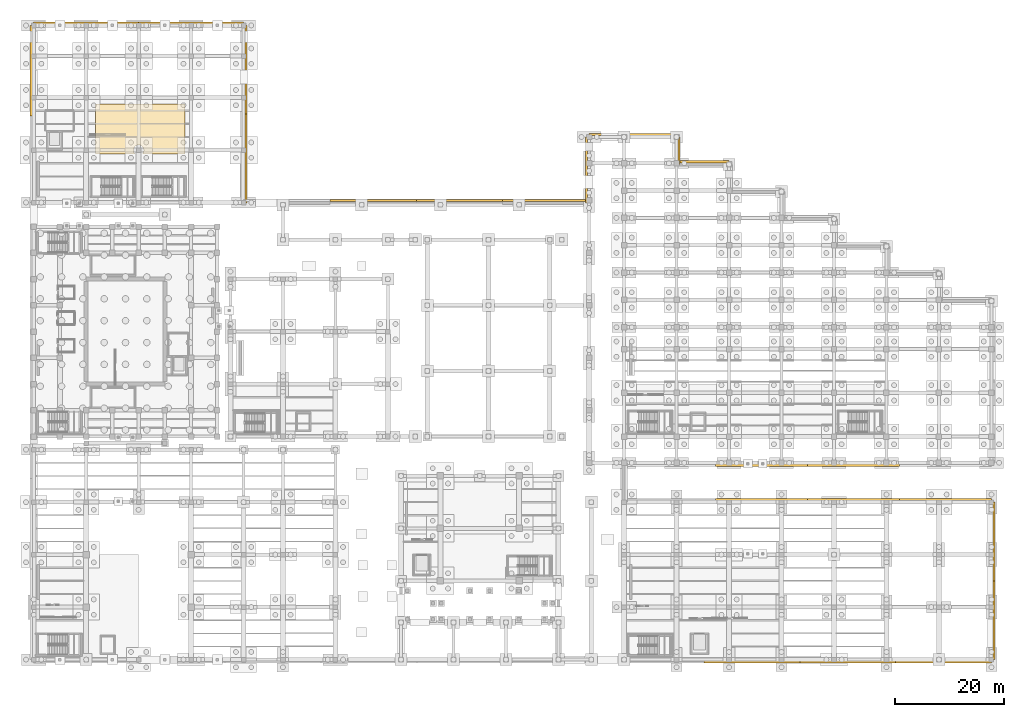
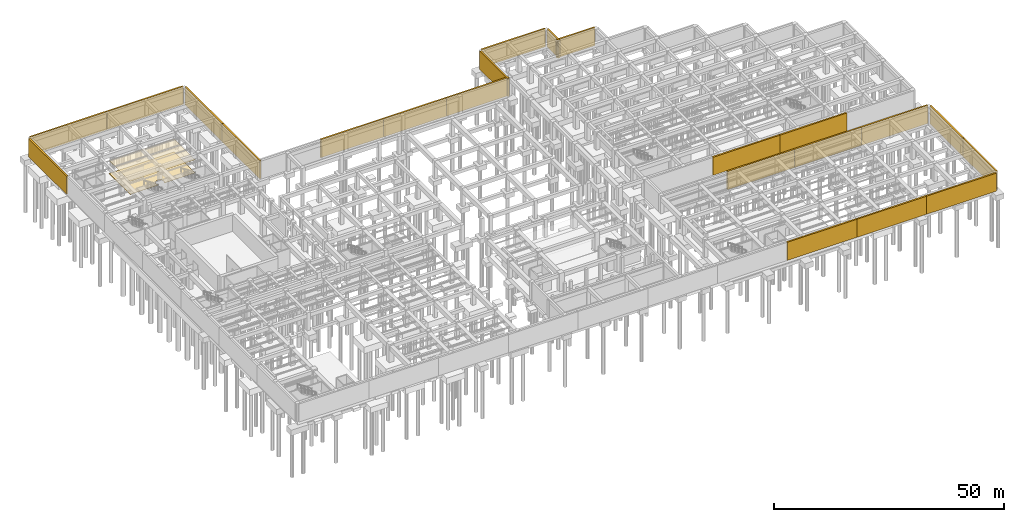
# One storey, part 53 of 56: 24 coverings.
"""IFC4 building model written with IfcOpenShell, lengths in metres."""

from ifc_helpers import new_model, si_unit, direction, frame, origin, place, context, subcontext, project, spatial, polyline, outline, extrude, material, layer, layer_set, type_object, element, save


model = new_model("IFC4")

# Units and contexts
model_context = context("Model", 3, precision=1e-05, world=origin(), true_north=direction((0.0, 1.0)))
body_context = subcontext(model_context, "Body", "Model", "MODEL_VIEW")
ifc_project = project(units=[si_unit("LENGTHUNIT", "METRE"), si_unit("AREAUNIT", "SQUARE_METRE"), si_unit("VOLUMEUNIT", "CUBIC_METRE"), si_unit("PLANEANGLEUNIT", "RADIAN"), si_unit("MASSUNIT", "GRAM", prefix="KILO")], contexts=[model_context])

# Site, building, storey
site_placement = place(None, origin())
site = spatial("IfcSite", under=ifc_project, at=site_placement, CompositionType="ELEMENT")
building_placement = place(site_placement, origin())
building = spatial("IfcBuilding", under=site, at=building_placement, Name="Mavantir Sound Aquarium", CompositionType="ELEMENT")
storey_placement = place(building_placement, frame((0.0, 0.0, -9.60009765625)))
storey = spatial("IfcBuildingStorey", under=building, at=storey_placement, Name="B2", CompositionType="ELEMENT", Elevation=-9.60009765625)

# Coverings
ifc_material_1 = material(Name="Moisture-Resistant Acoustic Mineral Fibre Tile")
ifc_layer_1 = layer(ifc_material_1, 0.02490234375, Name="Moisture-Resistant Acoustic Mineral Fibre Tile")
ifc_layer_set_1 = layer_set([ifc_layer_1], Name="Moisture-Resistant Acoustic Mineral Fibre Tile")
covering_type_1 = type_object("IfcCoveringType", Name="COV-CEIL-AC", PredefinedType="CEILING", material=ifc_layer_set_1)
covering_1_placement = place(storey_placement, frame((0.0, 0.0, 3.47119140625)))
element("IfcCovering", 1, at=covering_1_placement, inside=storey, type_object=covering_type_1, Name="B2 Marine Research Specimen Cold Archive Vault suspended acoustic ceiling", PredefinedType="CEILING", context=body_context, shape_type="SweptSolid", body=[
    extrude(outline(polyline([(27.659912109375, 101.659912109375), (27.659912109375, 92.5), (19.840576171875, 92.5), (19.871826171875, 92.5283203125), (19.934326171875, 92.597412109375), (19.989990234375, 92.672119140625), (20.037841796875, 92.752197265625), (20.07763671875, 92.83642578125), (20.109130859375, 92.92431640625), (20.131591796875, 93.0146484375), (20.1455078125, 93.10693359375), (20.14990234375, 93.199951171875), (20.1455078125, 93.293212890625), (20.131591796875, 93.38525390625), (20.109130859375, 93.475830078125), (20.07763671875, 93.5634765625), (20.037841796875, 93.647705078125), (19.989990234375, 93.727783203125), (19.934326171875, 93.802734375), (19.871826171875, 93.871826171875), (19.802734375, 93.934326171875), (19.727783203125, 93.989990234375), (19.647705078125, 94.037841796875), (19.5634765625, 94.07763671875), (19.475830078125, 94.109130859375), (19.38525390625, 94.131591796875), (19.293212890625, 94.1455078125), (19.199951171875, 94.14990234375), (19.10693359375, 94.1455078125), (19.0146484375, 94.131591796875), (18.92431640625, 94.109130859375), (18.83642578125, 94.07763671875), (18.752197265625, 94.037841796875), (18.672119140625, 93.989990234375), (18.597412109375, 93.934326171875), (18.5283203125, 93.871826171875), (18.465576171875, 93.802734375), (18.41015625, 93.727783203125), (18.3623046875, 93.647705078125), (18.322265625, 93.5634765625), (18.291015625, 93.475830078125), (18.268310546875, 93.38525390625), (18.254638671875, 93.293212890625), (18.25, 93.199951171875), (18.254638671875, 93.10693359375), (18.268310546875, 93.0146484375), (18.291015625, 92.92431640625), (18.322265625, 92.83642578125), (18.3623046875, 92.752197265625), (18.41015625, 92.672119140625), (18.465576171875, 92.597412109375), (18.5283203125, 92.5283203125), (18.559326171875, 92.5), (11.300048828125, 92.5), (11.300048828125, 101.659912109375), (27.659912109375, 101.659912109375)])), origin(), (0.0, 0.0, 1.0), 0.02490234375),
])
ifc_material_2 = material(Name="Honed Coral-Limestone & Glazed Terracotta Rainscreen Cladding", Category="masonry")
ifc_layer_2 = layer(ifc_material_2, 0.06005859375, Name="Honed Coral-Limestone & Glazed Terracotta Rainscreen Cladding")
ifc_layer_set_2 = layer_set([ifc_layer_2], Name="Honed Coral-Limestone & Glazed Terracotta Rainscreen Cladding")
covering_type_2 = type_object("IfcCoveringType", Name="COV-CLAD-TC", PredefinedType="CLADDING", material=ifc_layer_set_2)
covering_2_placement = place(storey_placement, origin())
element("IfcCovering", 2, at=covering_2_placement, inside=storey, type_object=covering_type_2, Name="B2 rusticated coral-stone plinth cladding 1", PredefinedType="CLADDING", context=body_context, shape_type="SweptSolid", body=[
    extrude(outline(polyline([(175.449951171875, 0.0), (175.449951171875, 14.39990234375), (175.860107421875, 14.39990234375), (175.860107421875, 0.0), (175.449951171875, 0.0)])), origin(), (0.0, 0.0, 1.0), 4.800048828125),
])
covering_3_placement = place(storey_placement, origin())
element("IfcCovering", 3, at=covering_3_placement, inside=storey, type_object=covering_type_2, Name="B2 rusticated coral-stone plinth cladding 2", PredefinedType="CLADDING", context=body_context, shape_type="SweptSolid", body=[
    extrude(outline(polyline([(175.449951171875, 14.39990234375), (175.449951171875, 28.800048828125), (175.860107421875, 28.800048828125), (175.860107421875, 14.39990234375), (175.449951171875, 14.39990234375)])), origin(), (0.0, 0.0, 1.0), 4.800048828125),
])
covering_4_placement = place(storey_placement, origin())
element("IfcCovering", 4, at=covering_4_placement, inside=storey, type_object=covering_type_2, Name="B2 rusticated coral-stone plinth cladding 3", PredefinedType="CLADDING", context=body_context, shape_type="SweptSolid", body=[
    extrude(outline(polyline([(175.199951171875, 29.050048828125), (158.387451171875, 29.050048828125), (158.387451171875, 29.4599609375), (175.199951171875, 29.4599609375), (175.199951171875, 29.050048828125)])), origin(), (0.0, 0.0, 1.0), 4.800048828125),
])
covering_5_placement = place(storey_placement, origin())
element("IfcCovering", 5, at=covering_5_placement, inside=storey, type_object=covering_type_2, Name="B2 rusticated coral-stone plinth cladding 4", PredefinedType="CLADDING", context=body_context, shape_type="SweptSolid", body=[
    extrude(outline(polyline([(158.387451171875, 29.050048828125), (141.574951171875, 29.050048828125), (141.574951171875, 29.4599609375), (158.387451171875, 29.4599609375), (158.387451171875, 29.050048828125)])), origin(), (0.0, 0.0, 1.0), 4.800048828125),
])
covering_6_placement = place(storey_placement, origin())
element("IfcCovering", 6, at=covering_6_placement, inside=storey, type_object=covering_type_2, Name="B2 rusticated coral-stone plinth cladding 5", PredefinedType="CLADDING", context=body_context, shape_type="SweptSolid", body=[
    extrude(outline(polyline([(141.574951171875, 29.050048828125), (124.762451171875, 29.050048828125), (124.762451171875, 29.4599609375), (141.574951171875, 29.4599609375), (141.574951171875, 29.050048828125)])), origin(), (0.0, 0.0, 1.0), 4.800048828125),
])
covering_7_placement = place(storey_placement, origin())
element("IfcCovering", 7, at=covering_7_placement, inside=storey, type_object=covering_type_2, Name="B2 rusticated coral-stone plinth cladding 9", PredefinedType="CLADDING", context=body_context, shape_type="SweptSolid", body=[
    extrude(outline(polyline([(124.762451171875, 35.75), (141.574951171875, 35.75), (141.574951171875, 35.340087890625), (124.762451171875, 35.340087890625), (124.762451171875, 35.75)])), origin(), (0.0, 0.0, 1.0), 4.800048828125),
])
covering_8_placement = place(storey_placement, origin())
element("IfcCovering", 8, at=covering_8_placement, inside=storey, type_object=covering_type_2, Name="B2 rusticated coral-stone plinth cladding 10", PredefinedType="CLADDING", context=body_context, shape_type="SweptSolid", body=[
    extrude(outline(polyline([(141.574951171875, 35.75), (158.387451171875, 35.75), (158.387451171875, 35.340087890625), (141.574951171875, 35.340087890625), (141.574951171875, 35.75)])), origin(), (0.0, 0.0, 1.0), 4.800048828125),
])
covering_9_placement = place(storey_placement, origin())
element("IfcCovering", 9, at=covering_9_placement, inside=storey, type_object=covering_type_2, Name="B2 rusticated coral-stone plinth cladding 24", PredefinedType="CLADDING", context=body_context, shape_type="SweptSolid", body=[
    extrude(outline(polyline([(127.199951171875, 90.85009765625), (117.60009765625, 90.85009765625), (117.60009765625, 91.260009765625), (127.199951171875, 91.260009765625), (127.199951171875, 90.85009765625)])), origin(), (0.0, 0.0, 1.0), 4.800048828125),
])
covering_10_placement = place(storey_placement, origin())
element("IfcCovering", 10, at=covering_10_placement, inside=storey, type_object=covering_type_2, Name="B2 rusticated coral-stone plinth cladding 25", PredefinedType="CLADDING", context=body_context, shape_type="SweptSolid", body=[
    extrude(outline(polyline([(117.85009765625, 90.60009765625), (117.85009765625, 95.60009765625), (118.260009765625, 95.60009765625), (118.260009765625, 90.60009765625), (117.85009765625, 90.60009765625)])), origin(), (0.0, 0.0, 1.0), 4.800048828125),
])
covering_11_placement = place(storey_placement, origin())
element("IfcCovering", 11, at=covering_11_placement, inside=storey, type_object=covering_type_2, Name="B2 rusticated coral-stone plinth cladding 26", PredefinedType="CLADDING", context=body_context, shape_type="SweptSolid", body=[
    extrude(outline(polyline([(117.60009765625, 95.85009765625), (101.60009765625, 95.85009765625), (101.60009765625, 96.260009765625), (117.60009765625, 96.260009765625), (117.60009765625, 95.85009765625)])), origin(), (0.0, 0.0, 1.0), 4.800048828125),
])
covering_12_placement = place(storey_placement, origin())
element("IfcCovering", 12, at=covering_12_placement, inside=storey, type_object=covering_type_2, Name="B2 rusticated coral-stone plinth cladding 27", PredefinedType="CLADDING", context=body_context, shape_type="SweptSolid", body=[
    extrude(outline(polyline([(101.35009765625, 95.60009765625), (101.35009765625, 83.550048828125), (100.93994140625, 83.550048828125), (100.93994140625, 95.60009765625), (101.35009765625, 95.60009765625)])), origin(), (0.0, 0.0, 1.0), 4.800048828125),
])
covering_13_placement = place(storey_placement, origin())
element("IfcCovering", 13, at=covering_13_placement, inside=storey, type_object=covering_type_2, Name="B2 rusticated coral-stone plinth cladding 28", PredefinedType="CLADDING", context=body_context, shape_type="SweptSolid", body=[
    extrude(outline(polyline([(101.60009765625, 83.800048828125), (85.800048828125, 83.800048828125), (85.800048828125, 84.2099609375), (101.60009765625, 84.2099609375), (101.60009765625, 83.800048828125)])), origin(), (0.0, 0.0, 1.0), 4.800048828125),
])
covering_14_placement = place(storey_placement, origin())
element("IfcCovering", 14, at=covering_14_placement, inside=storey, type_object=covering_type_2, Name="B2 rusticated coral-stone plinth cladding 29", PredefinedType="CLADDING", context=body_context, shape_type="SweptSolid", body=[
    extrude(outline(polyline([(85.800048828125, 83.800048828125), (70.0, 83.800048828125), (70.0, 84.2099609375), (85.800048828125, 84.2099609375), (85.800048828125, 83.800048828125)])), origin(), (0.0, 0.0, 1.0), 4.800048828125),
])
covering_15_placement = place(storey_placement, origin())
element("IfcCovering", 15, at=covering_15_placement, inside=storey, type_object=covering_type_2, Name="B2 rusticated coral-stone plinth cladding 30", PredefinedType="CLADDING", context=body_context, shape_type="SweptSolid", body=[
    extrude(outline(polyline([(70.0, 83.800048828125), (54.199951171875, 83.800048828125), (54.199951171875, 84.2099609375), (70.0, 84.2099609375), (70.0, 83.800048828125)])), origin(), (0.0, 0.0, 1.0), 4.800048828125),
])
covering_16_placement = place(storey_placement, origin())
element("IfcCovering", 16, at=covering_16_placement, inside=storey, type_object=covering_type_2, Name="B2 rusticated coral-stone plinth cladding 32", PredefinedType="CLADDING", context=body_context, shape_type="SweptSolid", body=[
    extrude(outline(polyline([(38.64990234375, 83.550048828125), (38.64990234375, 99.77490234375), (39.06005859375, 99.77490234375), (39.06005859375, 83.550048828125), (38.64990234375, 83.550048828125)])), origin(), (0.0, 0.0, 1.0), 4.800048828125),
])
covering_17_placement = place(storey_placement, origin())
element("IfcCovering", 17, at=covering_17_placement, inside=storey, type_object=covering_type_2, Name="B2 rusticated coral-stone plinth cladding 33", PredefinedType="CLADDING", context=body_context, shape_type="SweptSolid", body=[
    extrude(outline(polyline([(38.64990234375, 99.77490234375), (38.64990234375, 116.0), (39.06005859375, 116.0), (39.06005859375, 99.77490234375), (38.64990234375, 99.77490234375)])), origin(), (0.0, 0.0, 1.0), 4.800048828125),
])
covering_18_placement = place(storey_placement, origin())
element("IfcCovering", 18, at=covering_18_placement, inside=storey, type_object=covering_type_2, Name="B2 rusticated coral-stone plinth cladding 34", PredefinedType="CLADDING", context=body_context, shape_type="SweptSolid", body=[
    extrude(outline(polyline([(38.39990234375, 116.25), (19.199951171875, 116.25), (19.199951171875, 116.659912109375), (38.39990234375, 116.659912109375), (38.39990234375, 116.25)])), origin(), (0.0, 0.0, 1.0), 4.800048828125),
])
covering_19_placement = place(storey_placement, origin())
element("IfcCovering", 19, at=covering_19_placement, inside=storey, type_object=covering_type_2, Name="B2 rusticated coral-stone plinth cladding 35", PredefinedType="CLADDING", context=body_context, shape_type="SweptSolid", body=[
    extrude(outline(polyline([(19.199951171875, 116.25), (0.0, 116.25), (0.0, 116.659912109375), (19.199951171875, 116.659912109375), (19.199951171875, 116.25)])), origin(), (0.0, 0.0, 1.0), 4.800048828125),
])
covering_20_placement = place(storey_placement, origin())
element("IfcCovering", 20, at=covering_20_placement, inside=storey, type_object=covering_type_2, Name="B2 rusticated coral-stone plinth cladding 36", PredefinedType="CLADDING", context=body_context, shape_type="SweptSolid", body=[
    extrude(outline(polyline([(-0.25, 116.0), (-0.25, 99.4287109375), (-0.659912109375, 99.4287109375), (-0.659912109375, 116.0), (-0.25, 116.0)])), origin(), (0.0, 0.0, 1.0), 4.800048828125),
])
covering_21_placement = place(storey_placement, origin())
element("IfcCovering", 21, at=covering_21_placement, inside=storey, type_object=covering_type_2, Name="B2 rusticated coral-stone plinth cladding 50", PredefinedType="CLADDING", context=body_context, shape_type="SweptSolid", body=[
    extrude(outline(polyline([(122.639892578125, -0.25), (140.159912109375, -0.25), (140.159912109375, -0.659912109375), (122.639892578125, -0.659912109375), (122.639892578125, -0.25)])), origin(), (0.0, 0.0, 1.0), 4.800048828125),
])
covering_22_placement = place(storey_placement, origin())
element("IfcCovering", 22, at=covering_22_placement, inside=storey, type_object=covering_type_2, Name="B2 rusticated coral-stone plinth cladding 51", PredefinedType="CLADDING", context=body_context, shape_type="SweptSolid", body=[
    extrude(outline(polyline([(140.159912109375, -0.25), (157.679931640625, -0.25), (157.679931640625, -0.659912109375), (140.159912109375, -0.659912109375), (140.159912109375, -0.25)])), origin(), (0.0, 0.0, 1.0), 4.800048828125),
])
covering_23_placement = place(storey_placement, origin())
element("IfcCovering", 23, at=covering_23_placement, inside=storey, type_object=covering_type_2, Name="B2 rusticated coral-stone plinth cladding 52", PredefinedType="CLADDING", context=body_context, shape_type="SweptSolid", body=[
    extrude(outline(polyline([(157.679931640625, -0.25), (175.199951171875, -0.25), (175.199951171875, -0.659912109375), (157.679931640625, -0.659912109375), (157.679931640625, -0.25)])), origin(), (0.0, 0.0, 1.0), 4.800048828125),
])
ifc_material_3 = material(Name="Marine Epoxy Recycled-Shell Terrazzo Flooring")
ifc_layer_3 = layer(ifc_material_3, 0.030029296875, Name="Marine Epoxy Recycled-Shell Terrazzo Flooring")
ifc_layer_set_3 = layer_set([ifc_layer_3], Name="Marine Epoxy Recycled-Shell Terrazzo Flooring")
covering_type_3 = type_object("IfcCoveringType", Name="COV-FLR-TZ", PredefinedType="FLOORING", material=ifc_layer_set_3)
covering_24_placement = place(storey_placement, origin())
element("IfcCovering", 24, at=covering_24_placement, inside=storey, type_object=covering_type_3, Name="B2 Marine Research Specimen Cold Archive Vault terrazzo flooring", PredefinedType="FLOORING", context=body_context, shape_type="SweptSolid", body=[
    extrude(outline(polyline([(27.659912109375, 101.659912109375), (27.659912109375, 92.5), (19.840576171875, 92.5), (19.871826171875, 92.5283203125), (19.934326171875, 92.597412109375), (19.989990234375, 92.672119140625), (20.037841796875, 92.752197265625), (20.07763671875, 92.83642578125), (20.109130859375, 92.92431640625), (20.131591796875, 93.0146484375), (20.1455078125, 93.10693359375), (20.14990234375, 93.199951171875), (20.1455078125, 93.293212890625), (20.131591796875, 93.38525390625), (20.109130859375, 93.475830078125), (20.07763671875, 93.5634765625), (20.037841796875, 93.647705078125), (19.989990234375, 93.727783203125), (19.934326171875, 93.802734375), (19.871826171875, 93.871826171875), (19.802734375, 93.934326171875), (19.727783203125, 93.989990234375), (19.647705078125, 94.037841796875), (19.5634765625, 94.07763671875), (19.475830078125, 94.109130859375), (19.38525390625, 94.131591796875), (19.293212890625, 94.1455078125), (19.199951171875, 94.14990234375), (19.10693359375, 94.1455078125), (19.0146484375, 94.131591796875), (18.92431640625, 94.109130859375), (18.83642578125, 94.07763671875), (18.752197265625, 94.037841796875), (18.672119140625, 93.989990234375), (18.597412109375, 93.934326171875), (18.5283203125, 93.871826171875), (18.465576171875, 93.802734375), (18.41015625, 93.727783203125), (18.3623046875, 93.647705078125), (18.322265625, 93.5634765625), (18.291015625, 93.475830078125), (18.268310546875, 93.38525390625), (18.254638671875, 93.293212890625), (18.25, 93.199951171875), (18.254638671875, 93.10693359375), (18.268310546875, 93.0146484375), (18.291015625, 92.92431640625), (18.322265625, 92.83642578125), (18.3623046875, 92.752197265625), (18.41015625, 92.672119140625), (18.465576171875, 92.597412109375), (18.5283203125, 92.5283203125), (18.559326171875, 92.5), (11.300048828125, 92.5), (11.300048828125, 101.659912109375), (27.659912109375, 101.659912109375)])), origin(), (0.0, 0.0, 1.0), 0.030029296875),
])

save(model, "model.ifc")
